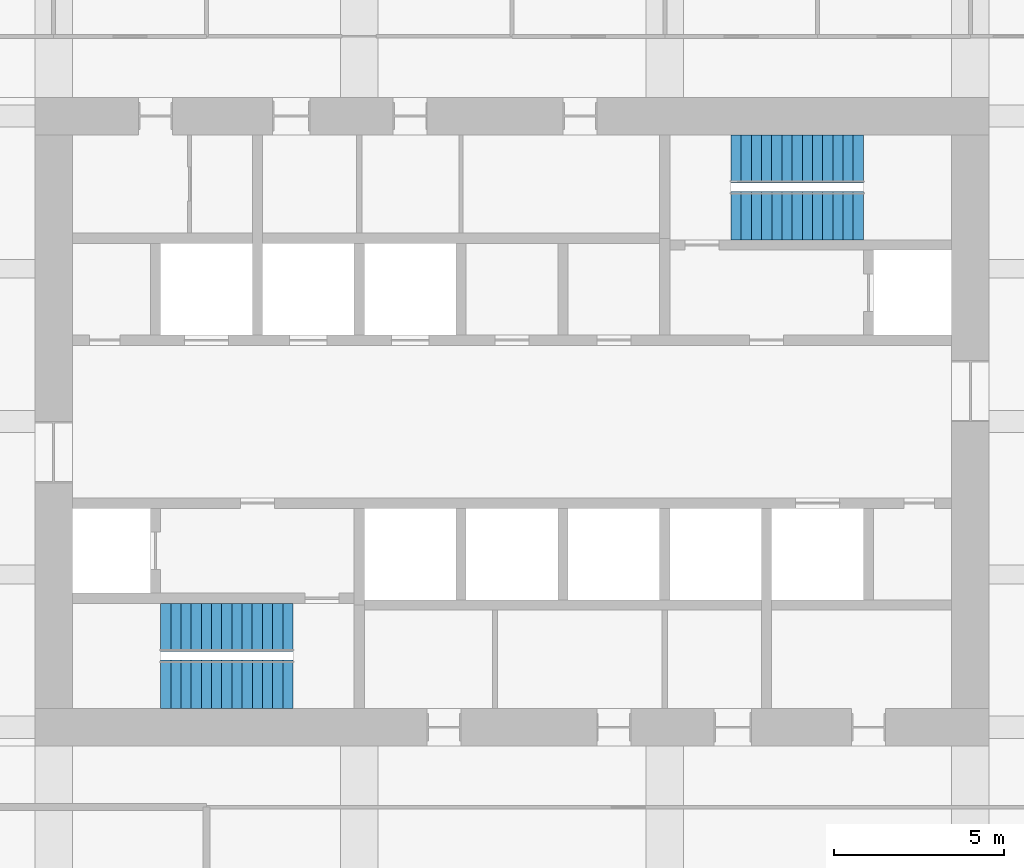
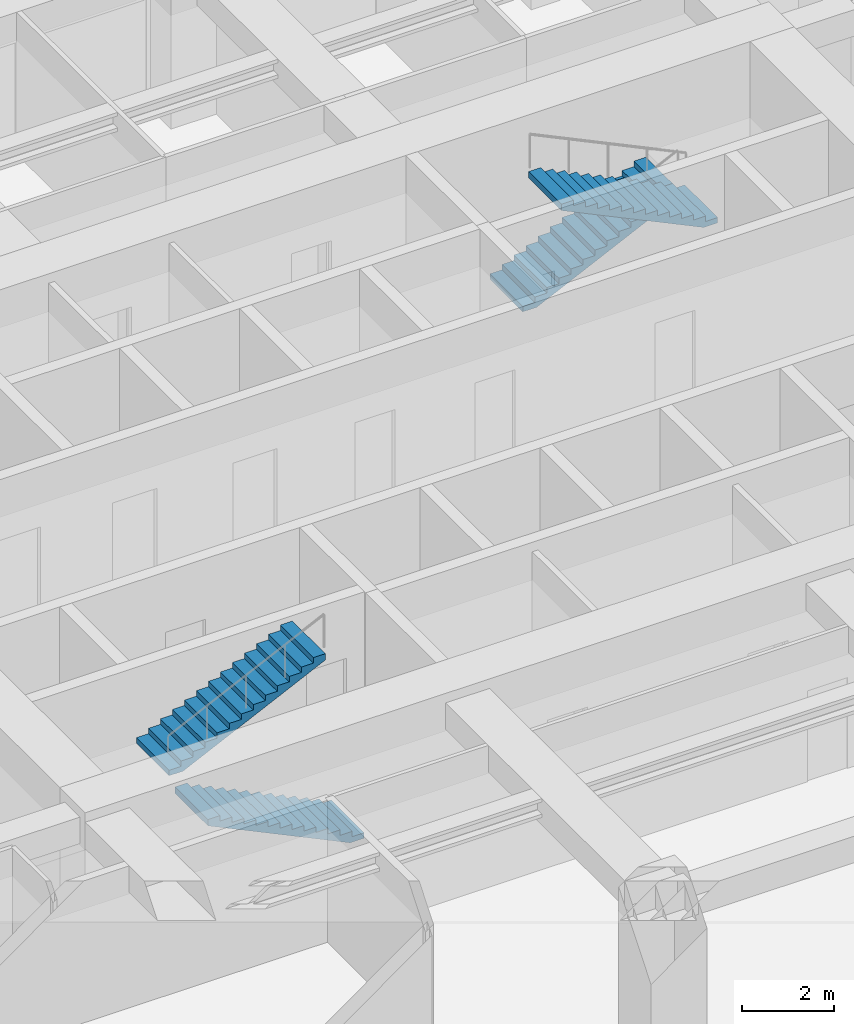
# One storey, part 32 of 33: 4 stair flights, 2 elements without a shape of their own.
"""IFC4 building model written with IfcOpenShell, lengths in metres."""

from ifc_helpers import new_model, si_unit, direction, frame, origin, place, context, subcontext, project, spatial, polyline, outline, extrude, material, type_object, element, aggregate, save


model = new_model("IFC4")

# Units and contexts
model_context = context("Model", 3, precision=1e-05, world=origin(), true_north=direction((0.0, 1.0)))
body_context = subcontext(model_context, "Body", "Model", "MODEL_VIEW")
ifc_project = project(units=[si_unit("LENGTHUNIT", "METRE"), si_unit("AREAUNIT", "SQUARE_METRE"), si_unit("VOLUMEUNIT", "CUBIC_METRE"), si_unit("PLANEANGLEUNIT", "RADIAN"), si_unit("MASSUNIT", "GRAM", prefix="KILO")], contexts=[model_context])

# Site, building, storey
site_placement = place(None, origin())
site = spatial("IfcSite", under=ifc_project, at=site_placement, CompositionType="ELEMENT")
building_placement = place(site_placement, origin())
building = spatial("IfcBuilding", under=site, at=building_placement, Name="Zorevar Civic Tower", CompositionType="ELEMENT")
storey_placement = place(building_placement, frame((0.0, 0.0, 210.199951171875)))
storey = spatial("IfcBuildingStorey", under=building, at=storey_placement, Name="L51", CompositionType="ELEMENT", Elevation=210.199951171875)

# Stair, stair flights
ifc_material_1 = material(Name="Precast concrete C40/50", Category="concrete")
stair_type = type_object("IfcStairType", Name="Stair ST 28R", PredefinedType="HALF_TURN_STAIR", material=ifc_material_1)
stair_1_placement = place(storey_placement, origin())
stair_1 = element("IfcStair", 1, at=stair_1_placement, inside=storey, type_object=stair_type, Name="Stair ST1 L51", PredefinedType="HALF_TURN_STAIR")
ifc_material_2 = material(Name="Precast concrete C40/50", Category="concrete")
stair_flight_type = type_object("IfcStairFlightType", Name="Stair flight", PredefinedType="STRAIGHT", material=ifc_material_2)
stair_flight_1_placement = place(storey_placement, frame((25.050048828125, 19.262451171875, 0.0), z_axis=(0.0, 0.0, 1.0), x_axis=(-1.0, 0.0, 0.0)))
stair_flight_1 = element("IfcStairFlight", 2, at=stair_flight_1_placement, type_object=stair_flight_type, Name="ST1 flight 1", NumberOfRisers=14, NumberOfTreads=13, PredefinedType="STRAIGHT", RiserHeight=0.142857143, TreadLength=0.3, context=body_context, shape_type="SweptSolid", body=[
    extrude(outline(polyline([(0.0, 0.0), (0.0, 0.142822265625), (0.300048828125, 0.142822265625), (0.300048828125, 0.28564453125), (0.60009765625, 0.28564453125), (0.60009765625, 0.428466796875), (0.89990234375, 0.428466796875), (0.89990234375, 0.571533203125), (1.199951171875, 0.571533203125), (1.199951171875, 0.71435546875), (1.5, 0.71435546875), (1.5, 0.857177734375), (1.800048828125, 0.857177734375), (1.800048828125, 1.0), (2.10009765625, 1.0), (2.10009765625, 1.142822265625), (2.39990234375, 1.142822265625), (2.39990234375, 1.28564453125), (2.699951171875, 1.28564453125), (2.699951171875, 1.428466796875), (3.0, 1.428466796875), (3.0, 1.571533203125), (3.300048828125, 1.571533203125), (3.300048828125, 1.71435546875), (3.60009765625, 1.71435546875), (3.60009765625, 1.857177734375), (3.89990234375, 1.857177734375), (3.89990234375, 2.0), (3.89990234375, 1.691162109375), (0.3486328125, 0.0), (0.0, 0.0)])), frame((0.0, 0.71240234375, 0.0), z_axis=(0.0, -1.0, 0.0), x_axis=(1.0, 0.0, 0.0)), (0.0, 0.0, 1.0), 1.425048828125),
])
stair_flight_2_placement = place(storey_placement, frame((21.14990234375, 20.9375, 2.0), z_axis=(0.0, 0.0, 1.0), x_axis=(1.0, 0.0, 0.0)))
stair_flight_2 = element("IfcStairFlight", 3, at=stair_flight_2_placement, type_object=stair_flight_type, Name="ST1 flight 2", NumberOfRisers=14, NumberOfTreads=13, PredefinedType="STRAIGHT", RiserHeight=0.142857143, TreadLength=0.3, context=body_context, shape_type="SweptSolid", body=[
    extrude(outline(polyline([(0.0, 0.0), (0.0, 0.142822265625), (0.300048828125, 0.142822265625), (0.300048828125, 0.28564453125), (0.60009765625, 0.28564453125), (0.60009765625, 0.428466796875), (0.89990234375, 0.428466796875), (0.89990234375, 0.571533203125), (1.199951171875, 0.571533203125), (1.199951171875, 0.71435546875), (1.5, 0.71435546875), (1.5, 0.857177734375), (1.800048828125, 0.857177734375), (1.800048828125, 1.0), (2.10009765625, 1.0), (2.10009765625, 1.142822265625), (2.39990234375, 1.142822265625), (2.39990234375, 1.28564453125), (2.699951171875, 1.28564453125), (2.699951171875, 1.428466796875), (3.0, 1.428466796875), (3.0, 1.571533203125), (3.300048828125, 1.571533203125), (3.300048828125, 1.71435546875), (3.60009765625, 1.71435546875), (3.60009765625, 1.857177734375), (3.89990234375, 1.857177734375), (3.89990234375, 2.0), (3.89990234375, 1.691162109375), (0.3486328125, 0.0), (0.0, 0.0)])), frame((0.0, 0.71240234375, 0.0), z_axis=(0.0, -1.0, 0.0), x_axis=(1.0, 0.0, 0.0)), (0.0, 0.0, 1.0), 1.425048828125),
])
aggregate(stair_1, [stair_flight_1, stair_flight_2])

stair_2_placement = place(storey_placement, origin())
stair_2 = element("IfcStair", 4, at=stair_2_placement, inside=storey, type_object=stair_type, Name="Stair ST2 L51", PredefinedType="HALF_TURN_STAIR")
stair_flight_3_placement = place(storey_placement, frame((37.949951171875, 34.737548828125, 0.0), z_axis=(0.0, 0.0, 1.0), x_axis=(1.0, 0.0, 0.0)))
stair_flight_3 = element("IfcStairFlight", 5, at=stair_flight_3_placement, type_object=stair_flight_type, Name="ST2 flight 1", NumberOfRisers=14, NumberOfTreads=13, PredefinedType="STRAIGHT", RiserHeight=0.142857143, TreadLength=0.3, context=body_context, shape_type="SweptSolid", body=[
    extrude(outline(polyline([(0.0, 0.0), (0.0, 0.142822265625), (0.300048828125, 0.142822265625), (0.300048828125, 0.28564453125), (0.60009765625, 0.28564453125), (0.60009765625, 0.428466796875), (0.89990234375, 0.428466796875), (0.89990234375, 0.571533203125), (1.199951171875, 0.571533203125), (1.199951171875, 0.71435546875), (1.5, 0.71435546875), (1.5, 0.857177734375), (1.800048828125, 0.857177734375), (1.800048828125, 1.0), (2.10009765625, 1.0), (2.10009765625, 1.142822265625), (2.39990234375, 1.142822265625), (2.39990234375, 1.28564453125), (2.699951171875, 1.28564453125), (2.699951171875, 1.428466796875), (3.0, 1.428466796875), (3.0, 1.571533203125), (3.300048828125, 1.571533203125), (3.300048828125, 1.71435546875), (3.60009765625, 1.71435546875), (3.60009765625, 1.857177734375), (3.89990234375, 1.857177734375), (3.89990234375, 2.0), (3.89990234375, 1.691162109375), (0.3486328125, 0.0), (0.0, 0.0)])), frame((0.0, 0.71240234375, 0.0), z_axis=(0.0, -1.0, 0.0), x_axis=(1.0, 0.0, 0.0)), (0.0, 0.0, 1.0), 1.425048828125),
])
stair_flight_4_placement = place(storey_placement, frame((41.85009765625, 33.0625, 2.0), z_axis=(0.0, 0.0, 1.0), x_axis=(-1.0, 0.0, 0.0)))
stair_flight_4 = element("IfcStairFlight", 6, at=stair_flight_4_placement, type_object=stair_flight_type, Name="ST2 flight 2", NumberOfRisers=14, NumberOfTreads=13, PredefinedType="STRAIGHT", RiserHeight=0.142857143, TreadLength=0.3, context=body_context, shape_type="SweptSolid", body=[
    extrude(outline(polyline([(0.0, 0.0), (0.0, 0.142822265625), (0.300048828125, 0.142822265625), (0.300048828125, 0.28564453125), (0.60009765625, 0.28564453125), (0.60009765625, 0.428466796875), (0.89990234375, 0.428466796875), (0.89990234375, 0.571533203125), (1.199951171875, 0.571533203125), (1.199951171875, 0.71435546875), (1.5, 0.71435546875), (1.5, 0.857177734375), (1.800048828125, 0.857177734375), (1.800048828125, 1.0), (2.10009765625, 1.0), (2.10009765625, 1.142822265625), (2.39990234375, 1.142822265625), (2.39990234375, 1.28564453125), (2.699951171875, 1.28564453125), (2.699951171875, 1.428466796875), (3.0, 1.428466796875), (3.0, 1.571533203125), (3.300048828125, 1.571533203125), (3.300048828125, 1.71435546875), (3.60009765625, 1.71435546875), (3.60009765625, 1.857177734375), (3.89990234375, 1.857177734375), (3.89990234375, 2.0), (3.89990234375, 1.691162109375), (0.3486328125, 0.0), (0.0, 0.0)])), frame((0.0, 0.71240234375, 0.0), z_axis=(0.0, -1.0, 0.0), x_axis=(1.0, 0.0, 0.0)), (0.0, 0.0, 1.0), 1.425048828125),
])
aggregate(stair_2, [stair_flight_3, stair_flight_4])

save(model, "model.ifc")
